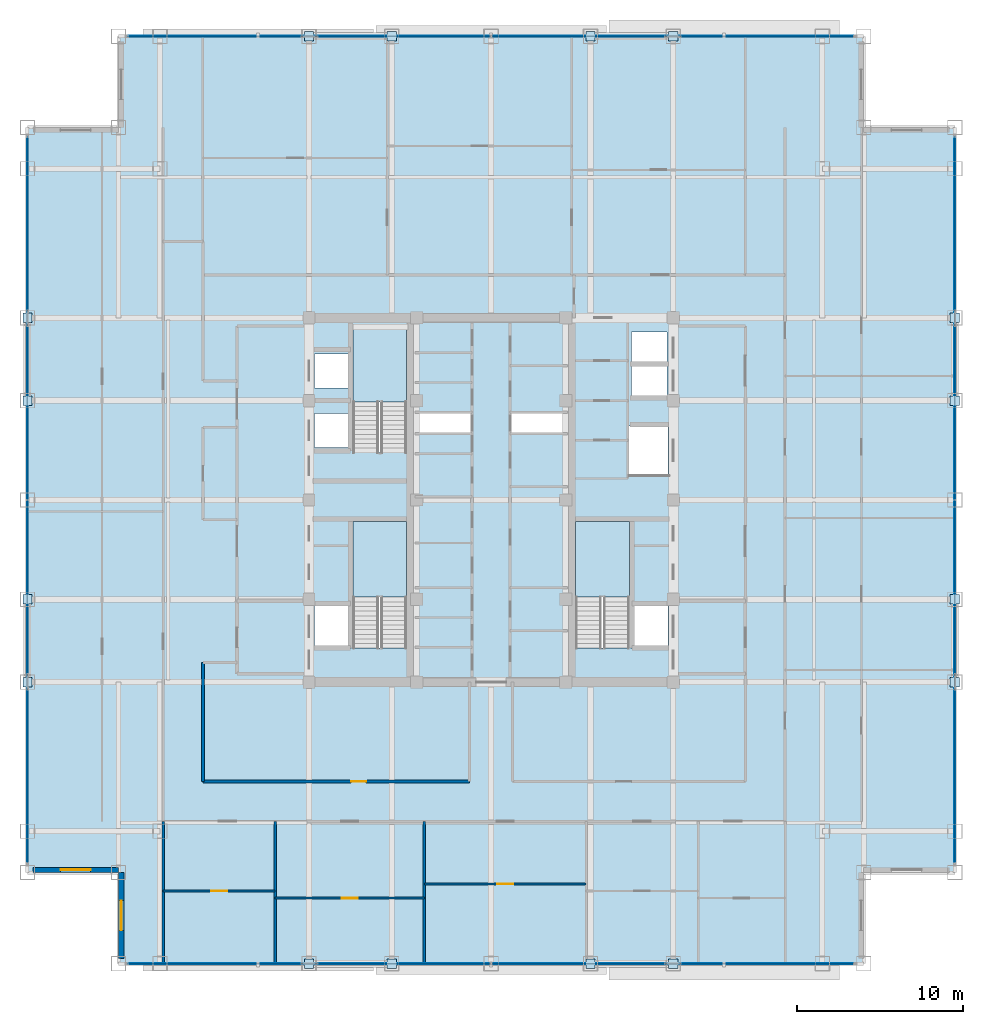
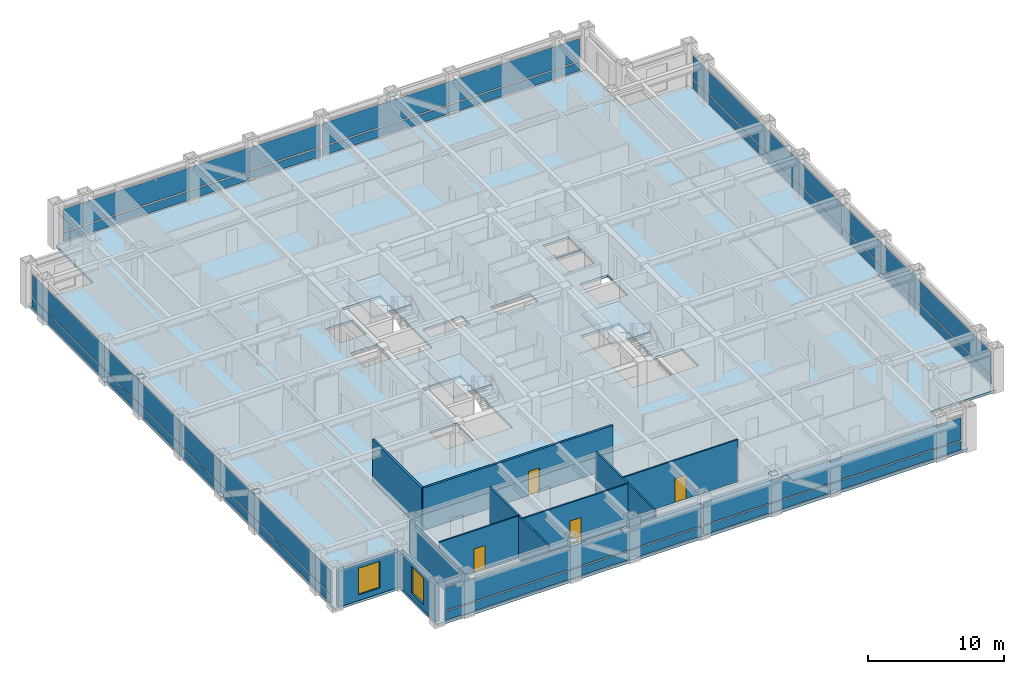
# One storey, part 17 of 27: 32 plates, 10 walls, 4 doors, 4 slabs, 2 windows, 6 openings, 7 elements without a shape of their own.
"""IFC4 building model written with IfcOpenShell, lengths in metres."""

from ifc_helpers import new_model, si_unit, direction, frame, frame_2d, origin, origin_2d, place, context, subcontext, project, spatial, polyline, rectangle, outline, extrude, source, transform, mapped, material, layer, layer_set, type_object, element, fill, aggregate, save


model = new_model("IFC4")

# Units and contexts
model_context = context("Model", 3, precision=1e-05, world=origin(), true_north=direction((0.0, 1.0)))
body_context = subcontext(model_context, "Body", "Model", "MODEL_VIEW")
ifc_project = project(units=[si_unit("LENGTHUNIT", "METRE"), si_unit("AREAUNIT", "SQUARE_METRE"), si_unit("VOLUMEUNIT", "CUBIC_METRE"), si_unit("PLANEANGLEUNIT", "RADIAN"), si_unit("MASSUNIT", "GRAM", prefix="KILO")], contexts=[model_context])

# Site, building, storey
site_placement = place(None, origin())
site = spatial("IfcSite", under=ifc_project, at=site_placement, CompositionType="ELEMENT")
building_placement = place(site_placement, origin())
building = spatial("IfcBuilding", under=site, at=building_placement, Name="Khorayat Bourse Tower", CompositionType="ELEMENT")
storey_placement = place(building_placement, frame((0.0, 0.0, 281.5)))
storey = spatial("IfcBuildingStorey", under=building, at=storey_placement, Name="L66", CompositionType="ELEMENT", Elevation=281.5)

# Stair, slab
ifc_material_1 = material(Name="Concrete C40/50", Category="concrete")
stair_type = type_object("IfcStairType", Name="STR-CORE-1550", PredefinedType="HALF_TURN_STAIR", material=ifc_material_1)
stair_1_placement = place(storey_placement, origin())
stair_1 = element("IfcStair", 1, at=stair_1_placement, inside=storey, type_object=stair_type, Name="L66 Exit Stair ST-1", PredefinedType="HALF_TURN_STAIR")
ifc_layer_1 = layer(ifc_material_1, 0.199951171875)
ifc_layer_set_1 = layer_set([ifc_layer_1], Name="Concrete C40/50")
slab_type_1 = type_object("IfcSlabType", Name="SLB-LANDING-200", PredefinedType="LANDING", material=ifc_layer_set_1)
slab_1_placement = place(storey_placement, frame((0.0, 0.0, 1.800048828125)))
slab_1 = element("IfcSlab", 2, at=slab_1_placement, type_object=slab_type_1, Name="ST-1 landing 1", PredefinedType="LANDING", context=body_context, shape_type="SweptSolid", body=[
    extrude(outline(polyline([(-5.10009765625, -5.8701171875), (-5.10009765625, -1.300048828125), (-8.35009765625, -1.300048828125), (-8.35009765625, -5.8701171875), (-5.10009765625, -5.8701171875)])), origin(), (0.0, 0.0, 1.0), 0.199951171875),
])
aggregate(stair_1, [slab_1])

stair_2_placement = place(storey_placement, origin())
stair_2 = element("IfcStair", 3, at=stair_2_placement, inside=storey, type_object=stair_type, Name="L66 Exit Stair ST-2", PredefinedType="HALF_TURN_STAIR")
slab_2_placement = place(storey_placement, frame((0.0, 0.0, 1.800048828125)))
slab_2 = element("IfcSlab", 4, at=slab_2_placement, type_object=slab_type_1, Name="ST-2 landing 1", PredefinedType="LANDING", context=body_context, shape_type="SweptSolid", body=[
    extrude(outline(polyline([(-5.10009765625, 5.929931640625), (-5.10009765625, 10.5), (-8.35009765625, 10.5), (-8.35009765625, 5.929931640625), (-5.10009765625, 5.929931640625)])), origin(), (0.0, 0.0, 1.0), 0.199951171875),
])
aggregate(stair_2, [slab_2])

stair_3_placement = place(storey_placement, origin())
stair_3 = element("IfcStair", 5, at=stair_3_placement, inside=storey, type_object=stair_type, Name="L66 Exit Stair ST-3", PredefinedType="HALF_TURN_STAIR")
slab_3_placement = place(storey_placement, frame((0.0, 0.0, 1.800048828125)))
slab_3 = element("IfcSlab", 6, at=slab_3_placement, type_object=slab_type_1, Name="ST-3 landing 1", PredefinedType="LANDING", context=body_context, shape_type="SweptSolid", body=[
    extrude(outline(polyline([(8.35009765625, -5.8701171875), (8.35009765625, -1.300048828125), (5.10009765625, -1.300048828125), (5.10009765625, -5.8701171875), (8.35009765625, -5.8701171875)])), origin(), (0.0, 0.0, 1.0), 0.199951171875),
])
aggregate(stair_3, [slab_3])

# Slab
ifc_layer_2 = layer(ifc_material_1, 0.219970703125)
ifc_layer_set_2 = layer_set([ifc_layer_2], Name="Concrete C40/50")
slab_type_2 = type_object("IfcSlabType", Name="SLB-OFFICE-220", PredefinedType="FLOOR", material=ifc_layer_set_2)
slab_4_placement = place(storey_placement, frame((0.0, 0.0, -0.219970703125)))
element("IfcSlab", 7, at=slab_4_placement, inside=storey, type_object=slab_type_2, Name="L66 Main Floor Slab", PredefinedType="FLOOR", context=body_context, shape_type="SweptSolid", body=[
    extrude(outline(polyline([(-22.5, -28.0), (22.5, -28.0), (22.5, -22.5), (28.0, -22.5), (28.0, 22.5), (22.5, 22.5), (22.5, 28.0), (-22.5, 28.0), (-22.5, 22.5), (-28.0, 22.5), (-28.0, -22.5), (-22.5, -22.5), (-22.5, -28.0)]), holes=[polyline([(-8.35009765625, -8.945068359375), (-5.10009765625, -8.945068359375), (-5.10009765625, -1.300048828125), (-8.35009765625, -1.300048828125), (-8.35009765625, -8.945068359375)]), polyline([(-8.35009765625, 2.85498046875), (-5.10009765625, 2.85498046875), (-5.10009765625, 10.5), (-8.35009765625, 10.5), (-8.35009765625, 2.85498046875)]), polyline([(5.10009765625, -8.945068359375), (8.35009765625, -8.945068359375), (8.35009765625, -1.300048828125), (5.10009765625, -1.300048828125), (5.10009765625, -8.945068359375)]), polyline([(-10.679931640625, 3.169921875), (-8.419921875, 3.169921875), (-8.419921875, 5.22998046875), (-10.679931640625, 5.22998046875), (-10.679931640625, 3.169921875)]), polyline([(-10.679931640625, 6.77001953125), (-8.419921875, 6.77001953125), (-8.419921875, 8.830078125), (-10.679931640625, 8.830078125), (-10.679931640625, 6.77001953125)]), polyline([(8.469970703125, 6.27001953125), (10.6298828125, 6.27001953125), (10.6298828125, 8.1298828125), (8.469970703125, 8.1298828125), (8.469970703125, 6.27001953125)]), polyline([(8.469970703125, 8.27001953125), (10.6298828125, 8.27001953125), (10.6298828125, 10.1298828125), (8.469970703125, 10.1298828125), (8.469970703125, 8.27001953125)]), polyline([(-10.679931640625, -8.929931640625), (-8.419921875, -8.929931640625), (-8.419921875, -6.3701171875), (-10.679931640625, -6.3701171875), (-10.679931640625, -8.929931640625)]), polyline([(8.419921875, -8.929931640625), (10.679931640625, -8.929931640625), (10.679931640625, -6.3701171875), (8.419921875, -6.3701171875), (8.419921875, -8.929931640625)]), polyline([(8.320068359375, 1.52001953125), (10.679931640625, 1.52001953125), (10.679931640625, 4.47998046875), (8.320068359375, 4.47998046875), (8.320068359375, 1.52001953125)]), polyline([(-4.56005859375, 4.080078125), (-1.18994140625, 4.080078125), (-1.18994140625, 5.219970703125), (-4.56005859375, 5.219970703125), (-4.56005859375, 4.080078125)]), polyline([(1.18994140625, 4.080078125), (4.56005859375, 4.080078125), (4.56005859375, 5.219970703125), (1.18994140625, 5.219970703125), (1.18994140625, 4.080078125)])]), origin(), (0.0, 0.0, 1.0), 0.219970703125),
])

# Plates
ifc_material_2 = material(Name="Steel EN 10025-2 S355J2", Category="steel")
ifc_layer_3 = layer(ifc_material_2, 0.02490234375)
ifc_layer_set_3 = layer_set([ifc_layer_3], Name="Steel EN 10025-2 S355J2")
plate_type_1 = type_object("IfcPlateType", Name="PLT-ENDCAP-25", PredefinedType="SHEET", material=ifc_layer_set_3)
shared_shape_1 = source(origin(), body_context, "Body", "SweptSolid", [
    extrude(rectangle(XDim=0.56005859375, YDim=0.56005859375, at=origin_2d()), origin(), (0.0, 0.0, 1.0), 0.02490234375),
])
for number, where, z_axis, x_axis, name in (
    (8, (-11.0, -28.0, 3.517578125), (0.0, 0.0, 1.0), (1.0, 0.0, 0.0), "L66 Perimeter Brace End Plate 001"),
    (9, (-6.0, -28.0, 0.237548828125), (0.0, 0.0, 1.0), (1.0, 0.0, 0.0), "L66 Perimeter Brace End Plate 002"),
    (10, (6.0, -28.0, 3.517578125), (0.0, 0.0, 1.0), (1.0, 0.0, 0.0), "L66 Perimeter Brace End Plate 003"),
    (11, (11.0, -28.0, 0.237548828125), (0.0, 0.0, 1.0), (1.0, 0.0, 0.0), "L66 Perimeter Brace End Plate 004"),
    (12, (-11.0, 28.0, 3.517578125), (0.0, 0.0, 1.0), (1.0, 0.0, 0.0), "L66 Perimeter Brace End Plate 005"),
    (13, (-6.0, 28.0, 0.237548828125), (0.0, 0.0, 1.0), (1.0, 0.0, 0.0), "L66 Perimeter Brace End Plate 006"),
    (14, (6.0, 28.0, 3.517578125), (0.0, 0.0, 1.0), (1.0, 0.0, 0.0), "L66 Perimeter Brace End Plate 007"),
    (15, (11.0, 28.0, 0.237548828125), (0.0, 0.0, 1.0), (1.0, 0.0, 0.0), "L66 Perimeter Brace End Plate 008"),
    (16, (-28.0, -11.0, 3.517578125), (0.0, 0.0, 1.0), (1.0, 0.0, 0.0), "L66 Perimeter Brace End Plate 009"),
    (17, (-28.0, -6.0, 0.237548828125), (0.0, 0.0, 1.0), (1.0, 0.0, 0.0), "L66 Perimeter Brace End Plate 010"),
    (18, (-28.0, 6.0, 3.517578125), (0.0, 0.0, 1.0), (1.0, 0.0, 0.0), "L66 Perimeter Brace End Plate 011"),
    (19, (-28.0, 11.0, 0.237548828125), (0.0, 0.0, 1.0), (1.0, 0.0, 0.0), "L66 Perimeter Brace End Plate 012"),
    (20, (28.0, -11.0, 3.517578125), (0.0, 0.0, 1.0), (1.0, 0.0, 0.0), "L66 Perimeter Brace End Plate 013"),
    (21, (28.0, -6.0, 0.237548828125), (0.0, 0.0, 1.0), (1.0, 0.0, 0.0), "L66 Perimeter Brace End Plate 014"),
    (22, (28.0, 6.0, 3.517578125), (0.0, 0.0, 1.0), (1.0, 0.0, 0.0), "L66 Perimeter Brace End Plate 015"),
    (23, (28.0, 11.0, 0.237548828125), (0.0, 0.0, 1.0), (1.0, 0.0, 0.0), "L66 Perimeter Brace End Plate 016"),
):
    element("IfcPlate", number, at=place(storey_placement, frame(where, z_axis=z_axis, x_axis=x_axis)), inside=storey, type_object=plate_type_1, Name=name, PredefinedType="SHEET", context=body_context, shape_type="MappedRepresentation", body=[
        mapped(shared_shape_1, transform((0.0, 0.0, 0.0), scale=1.0)),
    ])

# Curtain wall, plates
ifc_material_3 = material(Name="Aluminium EN AW-6063 T6", Category="aluminium")
curtain_wall_type = type_object("IfcCurtainWallType", Name="CW-SYS-04", PredefinedType="NOTDEFINED", material=ifc_material_3)
curtain_wall_1_placement = place(storey_placement, origin())
curtain_wall_1 = element("IfcCurtainWall", 24, at=curtain_wall_1_placement, inside=storey, type_object=curtain_wall_type, Name="L66 Curtain Wall CW-L66-S1", PredefinedType="NOTDEFINED")
ifc_material_4 = material(Name="Honed desert limestone insulated spandrel", Category="masonry")
ifc_layer_4 = layer(ifc_material_4, 0.06494140625)
ifc_layer_set_4 = layer_set([ifc_layer_4], Name="Honed desert limestone insulated spandrel")
plate_type_2 = type_object("IfcPlateType", Name="CWP-SPAND-03", PredefinedType="CURTAIN_PANEL", material=ifc_layer_set_4)
shared_shape_2 = source(origin(), body_context, "Body", "SweptSolid", [
    extrude(rectangle(XDim=21.820068359375, YDim=0.06494140625, at=origin_2d()), origin(), (0.0, 0.0, 1.0), 0.77001953125),
])
plate_1_placement = place(storey_placement, frame((-10.969970703125, -28.0, 0.119873046875), z_axis=(0.0, 0.0, 1.0), x_axis=(1.0, 0.0, 0.0)))
plate_1 = element("IfcPlate", 25, at=plate_1_placement, type_object=plate_type_2, Name="CW-L66-S1 Spandrel Panel 1-1", PredefinedType="CURTAIN_PANEL", context=body_context, shape_type="MappedRepresentation", body=[
    mapped(shared_shape_2, transform((0.0, 0.0, 0.0), scale=1.0)),
])
plate_2_placement = place(storey_placement, frame((10.969970703125, -28.0, 0.119873046875), z_axis=(0.0, 0.0, 1.0), x_axis=(1.0, 0.0, 0.0)))
plate_2 = element("IfcPlate", 26, at=plate_2_placement, type_object=plate_type_2, Name="CW-L66-S1 Spandrel Panel 2-1", PredefinedType="CURTAIN_PANEL", context=body_context, shape_type="MappedRepresentation", body=[
    mapped(shared_shape_2, transform((0.0, 0.0, 0.0), scale=1.0)),
])

curtain_wall_2_placement = place(storey_placement, origin())
curtain_wall_2 = element("IfcCurtainWall", 27, at=curtain_wall_2_placement, inside=storey, type_object=curtain_wall_type, Name="L66 Curtain Wall CW-L66-N1", PredefinedType="NOTDEFINED")
plate_3_placement = place(storey_placement, frame((-10.969970703125, 28.0, 0.119873046875), z_axis=(0.0, 0.0, 1.0), x_axis=(1.0, 0.0, 0.0)))
plate_3 = element("IfcPlate", 28, at=plate_3_placement, type_object=plate_type_2, Name="CW-L66-N1 Spandrel Panel 1-1", PredefinedType="CURTAIN_PANEL", context=body_context, shape_type="MappedRepresentation", body=[
    mapped(shared_shape_2, transform((0.0, 0.0, 0.0), scale=1.0)),
])
plate_4_placement = place(storey_placement, frame((10.969970703125, 28.0, 0.119873046875), z_axis=(0.0, 0.0, 1.0), x_axis=(1.0, 0.0, 0.0)))
plate_4 = element("IfcPlate", 29, at=plate_4_placement, type_object=plate_type_2, Name="CW-L66-N1 Spandrel Panel 2-1", PredefinedType="CURTAIN_PANEL", context=body_context, shape_type="MappedRepresentation", body=[
    mapped(shared_shape_2, transform((0.0, 0.0, 0.0), scale=1.0)),
])

curtain_wall_3_placement = place(storey_placement, origin())
curtain_wall_3 = element("IfcCurtainWall", 30, at=curtain_wall_3_placement, inside=storey, type_object=curtain_wall_type, Name="L66 Curtain Wall CW-L66-W1", PredefinedType="NOTDEFINED")
plate_5_placement = place(storey_placement, frame((-28.0, -10.969970703125, 0.119873046875), z_axis=(0.0, 0.0, 1.0), x_axis=(0.0, 1.0, 0.0)))
plate_5 = element("IfcPlate", 31, at=plate_5_placement, type_object=plate_type_2, Name="CW-L66-W1 Spandrel Panel 1-1", PredefinedType="CURTAIN_PANEL", context=body_context, shape_type="MappedRepresentation", body=[
    mapped(shared_shape_2, transform((0.0, 0.0, 0.0), scale=1.0)),
])
plate_6_placement = place(storey_placement, frame((-28.0, 10.969970703125, 0.119873046875), z_axis=(0.0, 0.0, 1.0), x_axis=(0.0, 1.0, 0.0)))
plate_6 = element("IfcPlate", 32, at=plate_6_placement, type_object=plate_type_2, Name="CW-L66-W1 Spandrel Panel 2-1", PredefinedType="CURTAIN_PANEL", context=body_context, shape_type="MappedRepresentation", body=[
    mapped(shared_shape_2, transform((0.0, 0.0, 0.0), scale=1.0)),
])

curtain_wall_4_placement = place(storey_placement, origin())
curtain_wall_4 = element("IfcCurtainWall", 33, at=curtain_wall_4_placement, inside=storey, type_object=curtain_wall_type, Name="L66 Curtain Wall CW-L66-E1", PredefinedType="NOTDEFINED")
plate_7_placement = place(storey_placement, frame((28.0, -10.969970703125, 0.119873046875), z_axis=(0.0, 0.0, 1.0), x_axis=(0.0, 1.0, 0.0)))
plate_7 = element("IfcPlate", 34, at=plate_7_placement, type_object=plate_type_2, Name="CW-L66-E1 Spandrel Panel 1-1", PredefinedType="CURTAIN_PANEL", context=body_context, shape_type="MappedRepresentation", body=[
    mapped(shared_shape_2, transform((0.0, 0.0, 0.0), scale=1.0)),
])
plate_8_placement = place(storey_placement, frame((28.0, 10.969970703125, 0.119873046875), z_axis=(0.0, 0.0, 1.0), x_axis=(0.0, 1.0, 0.0)))
plate_8 = element("IfcPlate", 35, at=plate_8_placement, type_object=plate_type_2, Name="CW-L66-E1 Spandrel Panel 2-1", PredefinedType="CURTAIN_PANEL", context=body_context, shape_type="MappedRepresentation", body=[
    mapped(shared_shape_2, transform((0.0, 0.0, 0.0), scale=1.0)),
])

# Plate
ifc_material_5 = material(Name="Low-E solar-control laminated double glazing", Category="glass")
ifc_layer_5 = layer(ifc_material_5, 0.0419921875)
ifc_layer_set_5 = layer_set([ifc_layer_5], Name="Low-E solar-control laminated double glazing")
plate_type_3 = type_object("IfcPlateType", Name="CWP-FACET-02", PredefinedType="CURTAIN_PANEL", material=ifc_layer_set_5)
shared_shape_3 = source(origin(), body_context, "Body", "SweptSolid", [
    extrude(rectangle(XDim=21.820068359375, YDim=0.0419921875, at=origin_2d()), origin(), (0.0, 0.0, 1.0), 2.0),
])
plate_9_placement = place(storey_placement, frame((-10.969970703125, -28.0, 1.010009765625), z_axis=(0.0, 0.0, 1.0), x_axis=(1.0, 0.0, 0.0)))
plate_9 = element("IfcPlate", 36, at=plate_9_placement, type_object=plate_type_3, Name="CW-L66-S1 Vision Panel 1-2", PredefinedType="CURTAIN_PANEL", context=body_context, shape_type="MappedRepresentation", body=[
    mapped(shared_shape_3, transform((0.0, 0.0, 0.0), scale=1.0)),
])

plate_10_placement = place(storey_placement, frame((10.969970703125, -28.0, 1.010009765625), z_axis=(0.0, 0.0, 1.0), x_axis=(1.0, 0.0, 0.0)))
plate_10 = element("IfcPlate", 37, at=plate_10_placement, type_object=plate_type_3, Name="CW-L66-S1 Vision Panel 2-2", PredefinedType="CURTAIN_PANEL", context=body_context, shape_type="MappedRepresentation", body=[
    mapped(shared_shape_3, transform((0.0, 0.0, 0.0), scale=1.0)),
])

aggregate(curtain_wall_1, [plate_1, plate_9, plate_2, plate_10])

plate_11_placement = place(storey_placement, frame((-10.969970703125, 28.0, 1.010009765625), z_axis=(0.0, 0.0, 1.0), x_axis=(1.0, 0.0, 0.0)))
plate_11 = element("IfcPlate", 38, at=plate_11_placement, type_object=plate_type_3, Name="CW-L66-N1 Vision Panel 1-2", PredefinedType="CURTAIN_PANEL", context=body_context, shape_type="MappedRepresentation", body=[
    mapped(shared_shape_3, transform((0.0, 0.0, 0.0), scale=1.0)),
])

plate_12_placement = place(storey_placement, frame((10.969970703125, 28.0, 1.010009765625), z_axis=(0.0, 0.0, 1.0), x_axis=(1.0, 0.0, 0.0)))
plate_12 = element("IfcPlate", 39, at=plate_12_placement, type_object=plate_type_3, Name="CW-L66-N1 Vision Panel 2-2", PredefinedType="CURTAIN_PANEL", context=body_context, shape_type="MappedRepresentation", body=[
    mapped(shared_shape_3, transform((0.0, 0.0, 0.0), scale=1.0)),
])

aggregate(curtain_wall_2, [plate_3, plate_11, plate_4, plate_12])

plate_13_placement = place(storey_placement, frame((-28.0, -10.969970703125, 1.010009765625), z_axis=(0.0, 0.0, 1.0), x_axis=(0.0, 1.0, 0.0)))
plate_13 = element("IfcPlate", 40, at=plate_13_placement, type_object=plate_type_3, Name="CW-L66-W1 Vision Panel 1-2", PredefinedType="CURTAIN_PANEL", context=body_context, shape_type="MappedRepresentation", body=[
    mapped(shared_shape_3, transform((0.0, 0.0, 0.0), scale=1.0)),
])

plate_14_placement = place(storey_placement, frame((-28.0, 10.969970703125, 1.010009765625), z_axis=(0.0, 0.0, 1.0), x_axis=(0.0, 1.0, 0.0)))
plate_14 = element("IfcPlate", 41, at=plate_14_placement, type_object=plate_type_3, Name="CW-L66-W1 Vision Panel 2-2", PredefinedType="CURTAIN_PANEL", context=body_context, shape_type="MappedRepresentation", body=[
    mapped(shared_shape_3, transform((0.0, 0.0, 0.0), scale=1.0)),
])

aggregate(curtain_wall_3, [plate_5, plate_13, plate_6, plate_14])

plate_15_placement = place(storey_placement, frame((28.0, -10.969970703125, 1.010009765625), z_axis=(0.0, 0.0, 1.0), x_axis=(0.0, 1.0, 0.0)))
plate_15 = element("IfcPlate", 42, at=plate_15_placement, type_object=plate_type_3, Name="CW-L66-E1 Vision Panel 1-2", PredefinedType="CURTAIN_PANEL", context=body_context, shape_type="MappedRepresentation", body=[
    mapped(shared_shape_3, transform((0.0, 0.0, 0.0), scale=1.0)),
])

plate_16_placement = place(storey_placement, frame((28.0, 10.969970703125, 1.010009765625), z_axis=(0.0, 0.0, 1.0), x_axis=(0.0, 1.0, 0.0)))
plate_16 = element("IfcPlate", 43, at=plate_16_placement, type_object=plate_type_3, Name="CW-L66-E1 Vision Panel 2-2", PredefinedType="CURTAIN_PANEL", context=body_context, shape_type="MappedRepresentation", body=[
    mapped(shared_shape_3, transform((0.0, 0.0, 0.0), scale=1.0)),
])

aggregate(curtain_wall_4, [plate_7, plate_15, plate_8, plate_16])

# Wall, opening, window
ifc_material_6 = material(Name="Precast concrete C45/55", Category="concrete")
ifc_layer_6 = layer(ifc_material_6, 0.320068359375)
ifc_layer_set_6 = layer_set([ifc_layer_6], Name="Precast concrete C45/55")
wall_type_1 = type_object("IfcWallType", Name="WAL-EXT-STONE-320", PredefinedType="STANDARD", material=ifc_layer_set_6)
shared_shape_4 = source(origin(), body_context, "Body", "SweptSolid", [
    extrude(rectangle(XDim=5.179931640625, YDim=0.320068359375, at=frame_2d((2.58984375, 0.0))), origin(), (0.0, 0.0, 1.0), 3.23095703125),
])
wall_1_placement = place(storey_placement, frame((-22.5, -22.340087890625, 0.0), z_axis=(0.0, 0.0, 1.0), x_axis=(-1.0, 0.0, 0.0)))
wall_1 = element("IfcWall", 44, at=wall_1_placement, inside=storey, type_object=wall_type_1, Name="L66 Re-Entrant Notch Limestone Wall SW-H", PredefinedType="STANDARD", context=body_context, shape_type="MappedRepresentation", body=[
    mapped(shared_shape_4, transform((0.0, 0.0, 0.0), scale=1.0)),
])
shared_shape_5 = source(origin(), body_context, "Body", "SweptSolid", [
    extrude(rectangle(XDim=1.800048828125, YDim=2.39990234375, at=frame_2d((0.89990234375, 1.199951171875))), frame((0.0, 0.169921875, 0.0), z_axis=(0.0, -1.0, 0.0), x_axis=(1.0, 0.0, 0.0)), (0.0, 0.0, 1.0), 0.340087890625),
])
opening_1_placement = place(wall_1_placement, frame((1.68994140625, 0.0, 0.5)))
opening_1 = element("IfcOpeningElement", 45, at=opening_1_placement, cuts=wall_1, Name="Opening WN-04", PredefinedType="OPENING", context=body_context, shape_type="MappedRepresentation", body=[
    mapped(shared_shape_5, transform((0.0, 0.0, 0.0), scale=1.0)),
])
ifc_material_7 = material(Name="Low-E acoustic laminated double glazing", Category="glass")
window_type = type_object("IfcWindowType", Name="WIN-NOTCH-1800x2400", PartitioningType="SINGLE_PANEL", PredefinedType="WINDOW", material=ifc_material_7)
shared_shape_6 = source(origin(), body_context, "Body", "SweptSolid", [
    extrude(rectangle(XDim=1.800048828125, YDim=2.39990234375, at=frame_2d((0.89990234375, 1.199951171875))), frame((0.0, 0.030029296875, 0.0), z_axis=(0.0, -1.0, 0.0), x_axis=(1.0, 0.0, 0.0)), (0.0, 0.0, 1.0), 0.06005859375),
])
window_1_placement = place(opening_1_placement, origin())
window_1 = element("IfcWindow", 46, at=window_1_placement, inside=storey, type_object=window_type, Name="L66 Facade Window 1", OverallHeight=2.39990234375, OverallWidth=1.800048828125, PartitioningType="SINGLE_PANEL", PredefinedType="WINDOW", context=body_context, shape_type="MappedRepresentation", body=[
    mapped(shared_shape_6, transform((0.0, 0.0, 0.0), scale=1.0)),
])
fill(opening_1, window_1)

wall_2_placement = place(storey_placement, frame((-22.340087890625, -27.679931640625, 0.0), z_axis=(0.0, 0.0, 1.0), x_axis=(0.0, 1.0, 0.0)))
wall_2 = element("IfcWall", 47, at=wall_2_placement, inside=storey, type_object=wall_type_1, Name="L66 Re-Entrant Notch Limestone Wall SW-V", PredefinedType="STANDARD", context=body_context, shape_type="MappedRepresentation", body=[
    mapped(shared_shape_4, transform((0.0, 0.0, 0.0), scale=1.0)),
])
opening_2_placement = place(wall_2_placement, frame((1.68994140625, 0.0, 0.5)))
opening_2 = element("IfcOpeningElement", 48, at=opening_2_placement, cuts=wall_2, Name="Opening WN-04", PredefinedType="OPENING", context=body_context, shape_type="MappedRepresentation", body=[
    mapped(shared_shape_5, transform((0.0, 0.0, 0.0), scale=1.0)),
])
window_2_placement = place(opening_2_placement, origin())
window_2 = element("IfcWindow", 49, at=window_2_placement, inside=storey, type_object=window_type, Name="L66 Facade Window 1", OverallHeight=2.39990234375, OverallWidth=1.800048828125, PartitioningType="SINGLE_PANEL", PredefinedType="WINDOW", context=body_context, shape_type="MappedRepresentation", body=[
    mapped(shared_shape_6, transform((0.0, 0.0, 0.0), scale=1.0)),
])
fill(opening_2, window_2)

# Wall, opening, door
ifc_material_8 = material(Name="Gypsum plasterboard acoustic stud wall")
ifc_layer_7 = layer(ifc_material_8, 0.179931640625)
ifc_layer_set_7 = layer_set([ifc_layer_7], Name="Gypsum plasterboard acoustic stud wall")
wall_type_2 = type_object("IfcWallType", Name="WAL-PART-CORR-180", PredefinedType="PARTITIONING", material=ifc_layer_set_7)
shared_shape_7 = source(origin(), body_context, "Body", "SweptSolid", [
    extrude(rectangle(XDim=16.099853515625, YDim=0.179931640625, at=frame_2d((8.0498046875, 0.0))), origin(), (0.0, 0.0, 1.0), 3.780029296875),
])
wall_3_placement = place(storey_placement, frame((-17.39990234375, -17.0, 0.0), z_axis=(0.0, 0.0, 1.0), x_axis=(1.0, 0.0, 0.0)))
wall_3 = element("IfcWall", 50, at=wall_3_placement, inside=storey, type_object=wall_type_2, Name="L66 Partition WAL-L66-PKSW-S", PredefinedType="PARTITIONING", context=body_context, shape_type="MappedRepresentation", body=[
    mapped(shared_shape_7, transform((0.0, 0.0, 0.0), scale=1.0)),
])
shared_shape_8 = source(origin(), body_context, "Body", "SweptSolid", [
    extrude(rectangle(XDim=0.89990234375, YDim=2.14990234375, at=frame_2d((0.449951171875, 1.074951171875))), frame((0.0, 0.099853515625, 0.0), z_axis=(0.0, -1.0, 0.0), x_axis=(1.0, 0.0, 0.0)), (0.0, 0.0, 1.0), 0.199951171875),
])
opening_3_placement = place(wall_3_placement, frame((8.949951171875, 0.0, 0.0)))
opening_3 = element("IfcOpeningElement", 51, at=opening_3_placement, cuts=wall_3, Name="Opening DI-06", PredefinedType="OPENING", context=body_context, shape_type="MappedRepresentation", body=[
    mapped(shared_shape_8, transform((0.0, 0.0, 0.0), scale=1.0)),
])
ifc_material_9 = material(Name="Moisture-resistant laminate washroom door")
door_type_1 = type_object("IfcDoorType", Name="DR-INT-WC-900", OperationType="NOTDEFINED", PredefinedType="DOOR", material=ifc_material_9)
shared_shape_9 = source(origin(), body_context, "Body", "SweptSolid", [
    extrude(rectangle(XDim=0.89990234375, YDim=2.14990234375, at=frame_2d((0.449951171875, 1.074951171875))), frame((0.0, 0.02490234375, 0.0), z_axis=(0.0, -1.0, 0.0), x_axis=(1.0, 0.0, 0.0)), (0.0, 0.0, 1.0), 0.050048828125),
])
door_1_placement = place(opening_3_placement, origin())
door_1 = element("IfcDoor", 52, at=door_1_placement, inside=storey, type_object=door_type_1, Name="L66 SW Inboard Pantry Door", OperationType="SINGLE_SWING_LEFT", OverallHeight=2.14990234375, OverallWidth=0.89990234375, PredefinedType="DOOR", context=body_context, shape_type="MappedRepresentation", body=[
    mapped(shared_shape_9, transform((0.0, 0.0, 0.0), scale=1.0)),
])
fill(opening_3, door_1)

# Wall
shared_shape_10 = source(origin(), body_context, "Body", "SweptSolid", [
    extrude(rectangle(XDim=7.199951171875, YDim=0.179931640625, at=frame_2d((3.60009765625, 0.0))), origin(), (0.0, 0.0, 1.0), 3.780029296875),
])
wall_4_placement = place(storey_placement, frame((-17.39990234375, -17.0, 0.0), z_axis=(0.0, 0.0, 1.0), x_axis=(0.0, 1.0, 0.0)))
element("IfcWall", 53, at=wall_4_placement, inside=storey, type_object=wall_type_2, Name="L66 Partition WAL-L66-PKSW-W", PredefinedType="PARTITIONING", context=body_context, shape_type="MappedRepresentation", body=[
    mapped(shared_shape_10, transform((0.0, 0.0, 0.0), scale=1.0)),
])

# Wall, opening, door
ifc_material_10 = material(Name="Gypsum plasterboard partition")
ifc_layer_8 = layer(ifc_material_10, 0.125)
ifc_layer_set_8 = layer_set([ifc_layer_8], Name="Gypsum plasterboard partition")
wall_type_3 = type_object("IfcWallType", Name="WAL-PART-ROOM-125", PredefinedType="PARTITIONING", material=ifc_layer_set_8)
shared_shape_11 = source(origin(), body_context, "Body", "SweptSolid", [
    extrude(rectangle(XDim=6.759033203125, YDim=0.125, at=frame_2d((3.37939453125, 0.0))), origin(), (0.0, 0.0, 1.0), 3.780029296875),
])
wall_5_placement = place(storey_placement, frame((-19.800048828125, -23.614013671875, 0.0), z_axis=(0.0, 0.0, 1.0), x_axis=(1.0, 0.0, 0.0)))
wall_5 = element("IfcWall", 54, at=wall_5_placement, inside=storey, type_object=wall_type_3, Name="L66 Partition WAL-L66-SDP-1", PredefinedType="PARTITIONING", context=body_context, shape_type="MappedRepresentation", body=[
    mapped(shared_shape_11, transform((0.0, 0.0, 0.0), scale=1.0)),
])
shared_shape_12 = source(origin(), body_context, "Body", "SweptSolid", [
    extrude(rectangle(XDim=0.949951171875, YDim=2.14990234375, at=frame_2d((0.47509765625, 1.074951171875))), frame((0.0, 0.072509765625, 0.0), z_axis=(0.0, -1.0, 0.0), x_axis=(1.0, 0.0, 0.0)), (0.0, 0.0, 1.0), 0.14501953125),
])
opening_4_placement = place(wall_5_placement, frame((2.904541015625, 0.0, 0.0)))
opening_4 = element("IfcOpeningElement", 55, at=opening_4_placement, cuts=wall_5, Name="Opening DI-05", PredefinedType="OPENING", context=body_context, shape_type="MappedRepresentation", body=[
    mapped(shared_shape_12, transform((0.0, 0.0, 0.0), scale=1.0)),
])
ifc_material_11 = material(Name="Acoustic oak veneer office door")
door_type_2 = type_object("IfcDoorType", Name="DR-INT-OFFICE-950", OperationType="NOTDEFINED", PredefinedType="DOOR", material=ifc_material_11)
shared_shape_13 = source(origin(), body_context, "Body", "SweptSolid", [
    extrude(rectangle(XDim=0.949951171875, YDim=2.14990234375, at=frame_2d((0.47509765625, 1.074951171875))), frame((0.0, 0.02490234375, 0.0), z_axis=(0.0, -1.0, 0.0), x_axis=(1.0, 0.0, 0.0)), (0.0, 0.0, 1.0), 0.050048828125),
])
door_2_placement = place(opening_4_placement, origin())
door_2 = element("IfcDoor", 56, at=door_2_placement, inside=storey, type_object=door_type_2, Name="L66 Clearing Operations Office S1B Door", OperationType="SINGLE_SWING_RIGHT", OverallHeight=2.14990234375, OverallWidth=0.949951171875, PredefinedType="DOOR", context=body_context, shape_type="MappedRepresentation", body=[
    mapped(shared_shape_13, transform((0.0, 0.0, 0.0), scale=1.0)),
])
fill(opening_4, door_2)

# Walls
ifc_material_12 = material(Name="Gypsum plasterboard twin-frame partition")
ifc_layer_9 = layer(ifc_material_12, 0.14990234375)
ifc_layer_set_9 = layer_set([ifc_layer_9], Name="Gypsum plasterboard twin-frame partition")
wall_type_4 = type_object("IfcWallType", Name="WAL-PART-SUITE-150", PredefinedType="PARTITIONING", material=ifc_layer_set_9)
shared_shape_14 = source(origin(), body_context, "Body", "SweptSolid", [
    extrude(rectangle(XDim=8.60009765625, YDim=0.14990234375, at=frame_2d((4.300048828125, 0.0))), origin(), (0.0, 0.0, 1.0), 3.780029296875),
])
for number, where, z_axis, x_axis, name in (
    (57, (-13.041015625, -28.0, 0.0), (0.0, 0.0, 1.0), (0.0, 1.0, 0.0), "L66 Partition WAL-L66-SDV-1"),
    (58, (-4.029052734375, -28.0, 0.0), (0.0, 0.0, 1.0), (0.0, 1.0, 0.0), "L66 Partition WAL-L66-SDV-2"),
):
    element("IfcWall", number, at=place(storey_placement, frame(where, z_axis=z_axis, x_axis=x_axis)), inside=storey, type_object=wall_type_4, Name=name, PredefinedType="PARTITIONING", context=body_context, shape_type="MappedRepresentation", body=[
        mapped(shared_shape_14, transform((0.0, 0.0, 0.0), scale=1.0)),
    ])

# Wall, opening, door
shared_shape_15 = source(origin(), body_context, "Body", "SweptSolid", [
    extrude(rectangle(XDim=9.011962890625, YDim=0.125, at=frame_2d((4.505859375, 0.0))), origin(), (0.0, 0.0, 1.0), 3.780029296875),
])
wall_6_placement = place(storey_placement, frame((-13.041015625, -24.0439453125, 0.0), z_axis=(0.0, 0.0, 1.0), x_axis=(1.0, 0.0, 0.0)))
wall_6 = element("IfcWall", 59, at=wall_6_placement, inside=storey, type_object=wall_type_3, Name="L66 Partition WAL-L66-SDP-2", PredefinedType="PARTITIONING", context=body_context, shape_type="MappedRepresentation", body=[
    mapped(shared_shape_15, transform((0.0, 0.0, 0.0), scale=1.0)),
])
opening_5_placement = place(wall_6_placement, frame((4.031005859375, 0.0, 0.0)))
opening_5 = element("IfcOpeningElement", 60, at=opening_5_placement, cuts=wall_6, Name="Opening DI-05", PredefinedType="OPENING", context=body_context, shape_type="MappedRepresentation", body=[
    mapped(shared_shape_12, transform((0.0, 0.0, 0.0), scale=1.0)),
])
door_3_placement = place(opening_5_placement, origin())
door_3 = element("IfcDoor", 61, at=door_3_placement, inside=storey, type_object=door_type_2, Name="L66 Equities Trading Desk S2B Door", OperationType="SINGLE_SWING_LEFT", OverallHeight=2.14990234375, OverallWidth=0.949951171875, PredefinedType="DOOR", context=body_context, shape_type="MappedRepresentation", body=[
    mapped(shared_shape_13, transform((0.0, 0.0, 0.0), scale=1.0)),
])
fill(opening_5, door_3)

shared_shape_16 = source(origin(), body_context, "Body", "SweptSolid", [
    extrude(rectangle(XDim=9.762939453125, YDim=0.125, at=frame_2d((4.88134765625, 0.0))), origin(), (0.0, 0.0, 1.0), 3.780029296875),
])
wall_7_placement = place(storey_placement, frame((-4.029052734375, -23.18408203125, 0.0), z_axis=(0.0, 0.0, 1.0), x_axis=(1.0, 0.0, 0.0)))
wall_7 = element("IfcWall", 62, at=wall_7_placement, inside=storey, type_object=wall_type_3, Name="L66 Partition WAL-L66-SDP-3", PredefinedType="PARTITIONING", context=body_context, shape_type="MappedRepresentation", body=[
    mapped(shared_shape_16, transform((0.0, 0.0, 0.0), scale=1.0)),
])
opening_6_placement = place(wall_7_placement, frame((4.406494140625, 0.0, 0.0)))
opening_6 = element("IfcOpeningElement", 63, at=opening_6_placement, cuts=wall_7, Name="Opening DI-05", PredefinedType="OPENING", context=body_context, shape_type="MappedRepresentation", body=[
    mapped(shared_shape_12, transform((0.0, 0.0, 0.0), scale=1.0)),
])
door_4_placement = place(opening_6_placement, origin())
door_4 = element("IfcDoor", 64, at=door_4_placement, inside=storey, type_object=door_type_2, Name="L66 Brokerage Member Kiosk S3B Door", OperationType="SINGLE_SWING_RIGHT", OverallHeight=2.14990234375, OverallWidth=0.949951171875, PredefinedType="DOOR", context=body_context, shape_type="MappedRepresentation", body=[
    mapped(shared_shape_13, transform((0.0, 0.0, 0.0), scale=1.0)),
])
fill(opening_6, door_4)

# Wall
shared_shape_17 = source(origin(), body_context, "Body", "SweptSolid", [
    extrude(rectangle(XDim=8.60009765625, YDim=0.14990234375, at=frame_2d((4.300048828125, 0.0))), origin(), (0.0, 0.0, 1.0), 3.1640625),
])
wall_8_placement = place(storey_placement, frame((-19.800048828125, -28.0, 0.0), z_axis=(0.0, 0.0, 1.0), x_axis=(0.0, 1.0, 0.0)))
element("IfcWall", 65, at=wall_8_placement, inside=storey, type_object=wall_type_4, Name="L66 Partition WAL-L66-SCW-END", PredefinedType="PARTITIONING", context=body_context, shape_type="MappedRepresentation", body=[
    mapped(shared_shape_17, transform((0.0, 0.0, 0.0), scale=1.0)),
])

save(model, "model.ifc")
